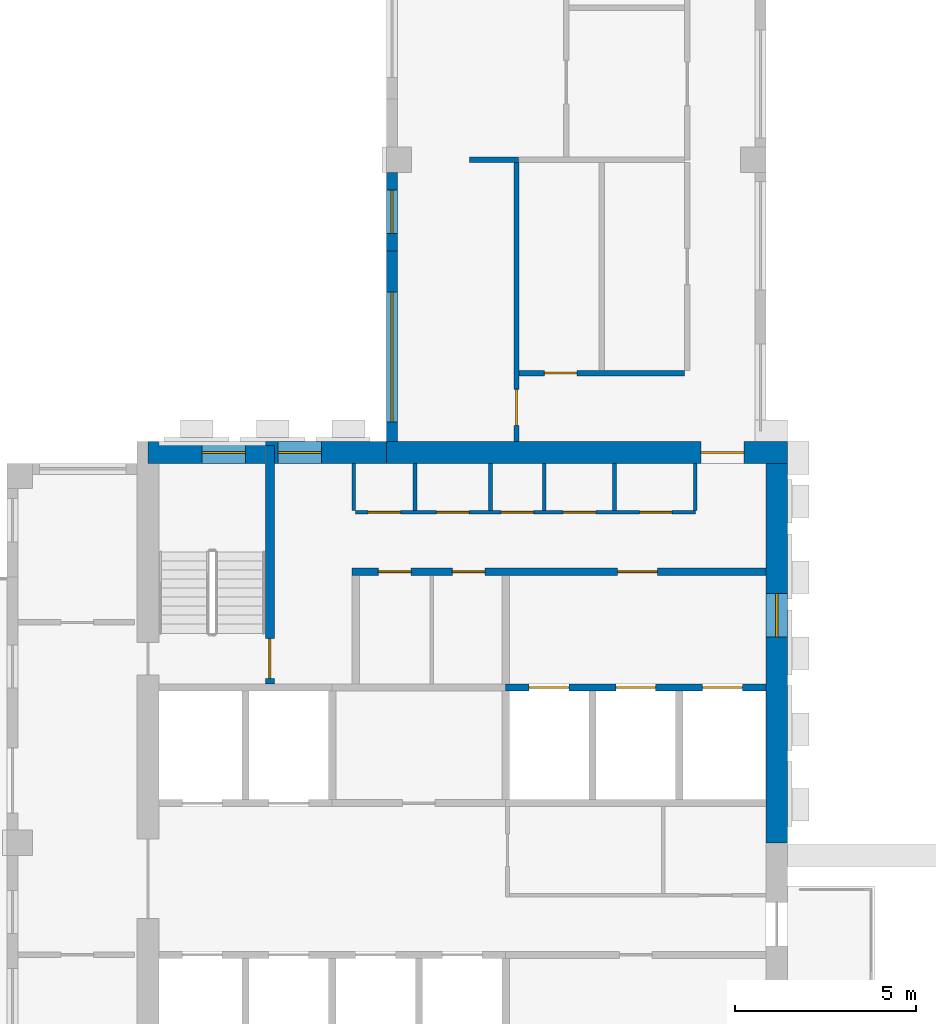
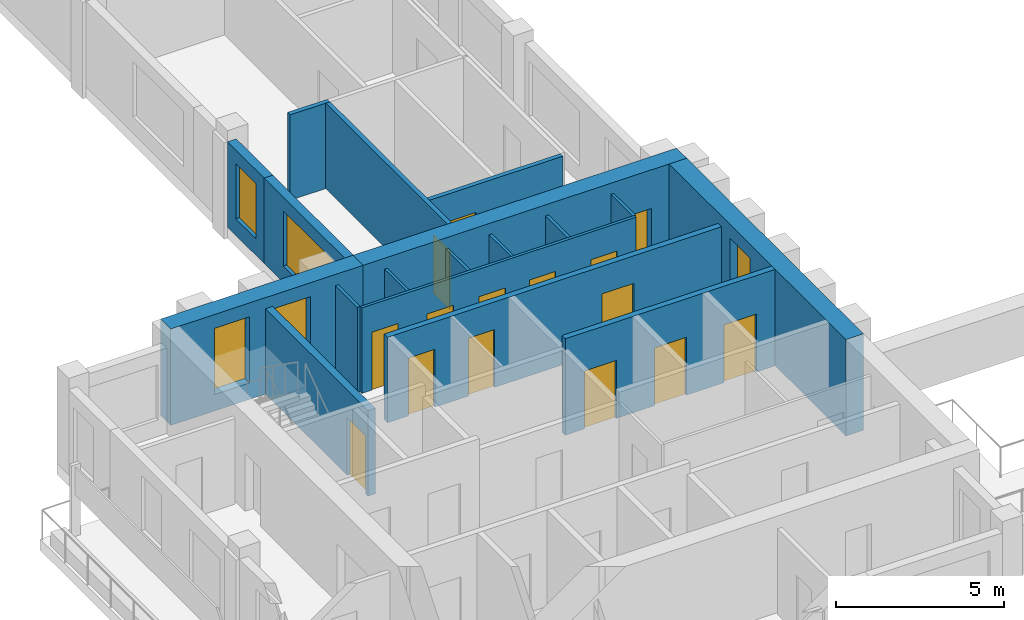
# One storey, part 3 of 9: 18 walls, 15 doors, 5 windows, 20 openings.
"""IFC4 building model written with IfcOpenShell, lengths in metres."""

from ifc_helpers import new_model, si_unit, direction, frame, frame_2d, origin, place, context, subcontext, project, spatial, rectangle, extrude, source, transform, mapped, material, layer, layer_set, type_object, element, fill, save


model = new_model("IFC4")

# Units and contexts
model_context = context("Model", 3, precision=1e-05, world=origin(), true_north=direction((0.0, 1.0)))
body_context = subcontext(model_context, "Body", "Model", "MODEL_VIEW")
ifc_project = project(units=[si_unit("LENGTHUNIT", "METRE"), si_unit("AREAUNIT", "SQUARE_METRE"), si_unit("VOLUMEUNIT", "CUBIC_METRE"), si_unit("PLANEANGLEUNIT", "RADIAN"), si_unit("MASSUNIT", "GRAM", prefix="KILO")], contexts=[model_context])

# Site, building, storey
site_placement = place(None, origin())
site = spatial("IfcSite", under=ifc_project, at=site_placement, CompositionType="ELEMENT")
building_placement = place(site_placement, origin())
building = spatial("IfcBuilding", under=site, at=building_placement, Name="Aurelian Terraces", CompositionType="ELEMENT")
storey_placement = place(building_placement, frame((0.0, 0.0, 305.5)))
storey = spatial("IfcBuildingStorey", under=building, at=storey_placement, Name="L70", CompositionType="ELEMENT", Elevation=305.5)

# Wall, opening, door
ifc_material_1 = material(Name="Concrete fc' 55 MPa", Category="concrete")
ifc_layer_1 = layer(ifc_material_1, 0.6)
ifc_layer_set_1 = layer_set([ifc_layer_1], Name="CORE WALL 600 FC55")
wall_type_1 = type_object("IfcWallType", Name="CORE WALL 600 FC55", PredefinedType="SHEAR", material=ifc_layer_set_1)
shared_shape_1 = source(origin(), body_context, "Body", "SweptSolid", [
    extrude(rectangle(XDim=11.1, YDim=0.6, at=frame_2d((5.55, 0.0))), origin(), (0.0, 0.0, 1.0), 3.5),
])
wall_1_placement = place(storey_placement, frame((10.5, 21.3, 0.0), z_axis=(0.0, 0.0, 1.0), x_axis=(1.0, 0.0, 0.0)))
wall_1 = element("IfcWall", 1, at=wall_1_placement, inside=storey, type_object=wall_type_1, Name="Core wall N L70", PredefinedType="SHEAR", context=body_context, shape_type="MappedRepresentation", body=[
    mapped(shared_shape_1, transform((0.0, 0.0, 0.0), scale=1.0)),
])
shared_shape_2 = source(origin(), body_context, "Body", "SweptSolid", [
    extrude(rectangle(XDim=1.2, YDim=2.1, at=frame_2d((0.6, 1.05))), frame((0.0, 0.31, 0.0), z_axis=(0.0, -1.0, 0.0), x_axis=(1.0, 0.0, 0.0)), (0.0, 0.0, 1.0), 0.62),
])
opening_1_placement = place(wall_1_placement, frame((8.7, 0.0, 0.0)))
opening_1 = element("IfcOpeningElement", 2, at=opening_1_placement, cuts=wall_1, Name="Opening 67329", PredefinedType="OPENING", context=body_context, shape_type="MappedRepresentation", body=[
    mapped(shared_shape_2, transform((0.0, 0.0, 0.0), scale=1.0)),
])
ifc_material_2 = material(Name="Steel door leaf", Category="steel")
door_type_1 = type_object("IfcDoorType", Name="Core fire door 1200x2100", OperationType="SINGLE_SWING_LEFT", PredefinedType="DOOR", material=ifc_material_2)
shared_shape_3 = source(origin(), body_context, "Body", "SweptSolid", [
    extrude(rectangle(XDim=1.2, YDim=2.1, at=frame_2d((0.6, 1.05))), frame((0.0, 0.025, 0.0), z_axis=(0.0, -1.0, 0.0), x_axis=(1.0, 0.0, 0.0)), (0.0, 0.0, 1.0), 0.05),
])
door_1_placement = place(opening_1_placement, origin())
door_1 = element("IfcDoor", 3, at=door_1_placement, inside=storey, type_object=door_type_1, Name="Core door 67329", OperationType="SINGLE_SWING_LEFT", OverallHeight=2.1, OverallWidth=1.2, PredefinedType="DOOR", context=body_context, shape_type="MappedRepresentation", body=[
    mapped(shared_shape_3, transform((0.0, 0.0, 0.0), scale=1.0)),
])
fill(opening_1, door_1)

# Wall, opening, window
shared_shape_4 = source(origin(), body_context, "Body", "SweptSolid", [
    extrude(rectangle(XDim=10.5, YDim=0.6, at=frame_2d((5.25, 0.0))), origin(), (0.0, 0.0, 1.0), 3.5),
])
wall_2_placement = place(storey_placement, frame((21.3, 10.5, 0.0), z_axis=(0.0, 0.0, 1.0), x_axis=(0.0, 1.0, 0.0)))
wall_2 = element("IfcWall", 4, at=wall_2_placement, inside=storey, type_object=wall_type_1, Name="Core wall E L70 exposed", PredefinedType="SHEAR", context=body_context, shape_type="MappedRepresentation", body=[
    mapped(shared_shape_4, transform((0.0, 0.0, 0.0), scale=1.0)),
])
shared_shape_5 = source(origin(), body_context, "Body", "SweptSolid", [
    extrude(rectangle(XDim=1.2, YDim=2.4, at=frame_2d((0.6, 1.2))), frame((0.0, 0.31, 0.0), z_axis=(0.0, -1.0, 0.0), x_axis=(1.0, 0.0, 0.0)), (0.0, 0.0, 1.0), 0.62),
])
opening_2_placement = place(wall_2_placement, frame((5.7, 0.0, 0.6)))
opening_2 = element("IfcOpeningElement", 5, at=opening_2_placement, cuts=wall_2, Name="Opening W-CL", PredefinedType="OPENING", context=body_context, shape_type="MappedRepresentation", body=[
    mapped(shared_shape_5, transform((0.0, 0.0, 0.0), scale=1.0)),
])
ifc_material_3 = material(Name="Fire-resisting glazing", Category="glass")
window_type_1 = type_object("IfcWindowType", Name="Core lobby window 1200x2400", PartitioningType="SINGLE_PANEL", PredefinedType="WINDOW", material=ifc_material_3)
shared_shape_6 = source(origin(), body_context, "Body", "SweptSolid", [
    extrude(rectangle(XDim=1.2, YDim=2.4, at=frame_2d((0.6, 1.2))), frame((0.0, 0.03, 0.0), z_axis=(0.0, -1.0, 0.0), x_axis=(1.0, 0.0, 0.0)), (0.0, 0.0, 1.0), 0.06),
])
window_1_placement = place(opening_2_placement, origin())
window_1 = element("IfcWindow", 6, at=window_1_placement, inside=storey, type_object=window_type_1, Name="Lobby window L70 E19", OverallHeight=2.4, OverallWidth=1.2, PartitioningType="SINGLE_PANEL", PredefinedType="WINDOW", context=body_context, shape_type="MappedRepresentation", body=[
    mapped(shared_shape_6, transform((0.0, 0.0, 0.0), scale=1.0)),
])
fill(opening_2, window_1)

# Wall, openings, windows
shared_shape_7 = source(origin(), body_context, "Body", "SweptSolid", [
    extrude(rectangle(XDim=6.6, YDim=0.6, at=frame_2d((3.3, 0.0))), origin(), (0.0, 0.0, 1.0), 3.5),
])
wall_3_placement = place(storey_placement, frame((3.9, 21.3, 0.0), z_axis=(0.0, 0.0, 1.0), x_axis=(1.0, 0.0, 0.0)))
wall_3 = element("IfcWall", 7, at=wall_3_placement, inside=storey, type_object=wall_type_1, Name="Core wall N L70 exposed", PredefinedType="SHEAR", context=body_context, shape_type="MappedRepresentation", body=[
    mapped(shared_shape_7, transform((0.0, 0.0, 0.0), scale=1.0)),
])
opening_3_placement = place(wall_3_placement, frame((1.5, 0.0, 0.6)))
opening_3 = element("IfcOpeningElement", 8, at=opening_3_placement, cuts=wall_3, Name="Opening W-CL", PredefinedType="OPENING", context=body_context, shape_type="MappedRepresentation", body=[
    mapped(shared_shape_5, transform((0.0, 0.0, 0.0), scale=1.0)),
])
opening_4_placement = place(wall_3_placement, frame((3.6, 0.0, 0.6)))
opening_4 = element("IfcOpeningElement", 9, at=opening_4_placement, cuts=wall_3, Name="Opening W-CL", PredefinedType="OPENING", context=body_context, shape_type="MappedRepresentation", body=[
    mapped(shared_shape_5, transform((0.0, 0.0, 0.0), scale=1.0)),
])
window_2_placement = place(opening_3_placement, origin())
window_2 = element("IfcWindow", 10, at=window_2_placement, inside=storey, type_object=window_type_1, Name="Lobby window L70 N20", OverallHeight=2.4, OverallWidth=1.2, PartitioningType="SINGLE_PANEL", PredefinedType="WINDOW", context=body_context, shape_type="MappedRepresentation", body=[
    mapped(shared_shape_6, transform((0.0, 0.0, 0.0), scale=1.0)),
])
fill(opening_3, window_2)
window_3_placement = place(opening_4_placement, origin())
window_3 = element("IfcWindow", 11, at=window_3_placement, inside=storey, type_object=window_type_1, Name="Lobby window L70 N21", OverallHeight=2.4, OverallWidth=1.2, PartitioningType="SINGLE_PANEL", PredefinedType="WINDOW", context=body_context, shape_type="MappedRepresentation", body=[
    mapped(shared_shape_6, transform((0.0, 0.0, 0.0), scale=1.0)),
])
fill(opening_4, window_3)

# Wall, opening, window
ifc_material_4 = material(Name="Terracotta rainscreen cladding", Category="masonry")
ifc_layer_2 = layer(ifc_material_4, 0.3)
ifc_layer_set_2 = layer_set([ifc_layer_2], Name="EW-300")
wall_type_2 = type_object("IfcWallType", Name="EW-300", PredefinedType="STANDARD", material=ifc_layer_set_2)
shared_shape_8 = source(origin(), body_context, "Body", "SweptSolid", [
    extrude(rectangle(XDim=2.17, YDim=0.3, at=frame_2d((1.085, 0.0))), origin(), (0.0, 0.0, 1.0), 3.1),
])
wall_4_placement = place(storey_placement, frame((10.65, 29.05, 0.0), z_axis=(0.0, 0.0, 1.0), x_axis=(0.0, -1.0, 0.0)))
wall_4 = element("IfcWall", 12, at=wall_4_placement, inside=storey, type_object=wall_type_2, Name="External wall L70 F04.12", PredefinedType="STANDARD", context=body_context, shape_type="MappedRepresentation", body=[
    mapped(shared_shape_8, transform((0.0, 0.0, 0.0), scale=1.0)),
])
shared_shape_9 = source(origin(), body_context, "Body", "SweptSolid", [
    extrude(rectangle(XDim=1.2, YDim=2.0, at=frame_2d((0.6, 1.0))), frame((0.0, 0.16, 0.0), z_axis=(0.0, -1.0, 0.0), x_axis=(1.0, 0.0, 0.0)), (0.0, 0.0, 1.0), 0.32),
])
opening_5_placement = place(wall_4_placement, frame((0.485, 0.0, 0.6)))
opening_5 = element("IfcOpeningElement", 13, at=opening_5_placement, cuts=wall_4, Name="Opening W1220", PredefinedType="OPENING", context=body_context, shape_type="MappedRepresentation", body=[
    mapped(shared_shape_9, transform((0.0, 0.0, 0.0), scale=1.0)),
])
ifc_material_5 = material(Name="Clear glazing", Category="glass")
window_type_2 = type_object("IfcWindowType", Name="W-1200x2000", PartitioningType="SINGLE_PANEL", PredefinedType="WINDOW", material=ifc_material_5)
shared_shape_10 = source(origin(), body_context, "Body", "SweptSolid", [
    extrude(rectangle(XDim=1.2, YDim=2.0, at=frame_2d((0.6, 1.0))), frame((0.0, 0.03, 0.0), z_axis=(0.0, -1.0, 0.0), x_axis=(1.0, 0.0, 0.0)), (0.0, 0.0, 1.0), 0.06),
])
window_4_placement = place(opening_5_placement, origin())
window_4 = element("IfcWindow", 14, at=window_4_placement, inside=storey, type_object=window_type_2, Name="Window L70 L70-F04-12-P1", OverallHeight=2.0, OverallWidth=1.2, PartitioningType="SINGLE_PANEL", PredefinedType="WINDOW", context=body_context, shape_type="MappedRepresentation", body=[
    mapped(shared_shape_10, transform((0.0, 0.0, 0.0), scale=1.0)),
])
fill(opening_5, window_4)

shared_shape_11 = source(origin(), body_context, "Body", "SweptSolid", [
    extrude(rectangle(XDim=5.28, YDim=0.3, at=frame_2d((2.64, 0.0))), origin(), (0.0, 0.0, 1.0), 3.1),
])
wall_5_placement = place(storey_placement, frame((10.65, 26.88, 0.0), z_axis=(0.0, 0.0, 1.0), x_axis=(0.0, -1.0, 0.0)))
wall_5 = element("IfcWall", 15, at=wall_5_placement, inside=storey, type_object=wall_type_2, Name="External wall L70 F04.13", PredefinedType="STANDARD", context=body_context, shape_type="MappedRepresentation", body=[
    mapped(shared_shape_11, transform((0.0, 0.0, 0.0), scale=1.0)),
])
shared_shape_12 = source(origin(), body_context, "Body", "SweptSolid", [
    extrude(rectangle(XDim=3.6, YDim=2.0, at=frame_2d((1.8, 1.0))), frame((0.0, 0.16, 0.0), z_axis=(0.0, -1.0, 0.0), x_axis=(1.0, 0.0, 0.0)), (0.0, 0.0, 1.0), 0.32),
])
opening_6_placement = place(wall_5_placement, frame((1.14, 0.0, 0.6)))
opening_6 = element("IfcOpeningElement", 16, at=opening_6_placement, cuts=wall_5, Name="Opening W3620", PredefinedType="OPENING", context=body_context, shape_type="MappedRepresentation", body=[
    mapped(shared_shape_12, transform((0.0, 0.0, 0.0), scale=1.0)),
])
window_type_3 = type_object("IfcWindowType", Name="W-3600x2000", PartitioningType="SINGLE_PANEL", PredefinedType="WINDOW", material=ifc_material_5)
shared_shape_13 = source(origin(), body_context, "Body", "SweptSolid", [
    extrude(rectangle(XDim=3.6, YDim=2.0, at=frame_2d((1.8, 1.0))), frame((0.0, 0.03, 0.0), z_axis=(0.0, -1.0, 0.0), x_axis=(1.0, 0.0, 0.0)), (0.0, 0.0, 1.0), 0.06),
])
window_5_placement = place(opening_6_placement, origin())
window_5 = element("IfcWindow", 17, at=window_5_placement, inside=storey, type_object=window_type_3, Name="Window L70 L70-F04-13-0", OverallHeight=2.0, OverallWidth=3.6, PartitioningType="SINGLE_PANEL", PredefinedType="WINDOW", context=body_context, shape_type="MappedRepresentation", body=[
    mapped(shared_shape_13, transform((0.0, 0.0, 0.0), scale=1.0)),
])
fill(opening_6, window_5)

# Wall, openings, doors
ifc_material_6 = material(Name="Concrete fc' 40 MPa", Category="concrete")
ifc_layer_3 = layer(ifc_material_6, 0.2)
ifc_layer_set_3 = layer_set([ifc_layer_3], Name="Lift shaft wall 200")
wall_type_3 = type_object("IfcWallType", Name="Lift shaft wall 200", PredefinedType="SOLIDWALL", material=ifc_layer_set_3)
shared_shape_14 = source(origin(), body_context, "Body", "SweptSolid", [
    extrude(rectangle(XDim=7.2, YDim=0.2, at=frame_2d((3.6, 0.0))), origin(), (0.0, 0.0, 1.0), 3.5),
])
wall_6_placement = place(storey_placement, frame((13.8, 14.8, 0.0), z_axis=(0.0, 0.0, 1.0), x_axis=(1.0, 0.0, 0.0)))
wall_6 = element("IfcWall", 18, at=wall_6_placement, inside=storey, type_object=wall_type_3, Name="L70 core wall CF-BB3", PredefinedType="SOLIDWALL", context=body_context, shape_type="MappedRepresentation", body=[
    mapped(shared_shape_14, transform((0.0, 0.0, 0.0), scale=1.0)),
])
shared_shape_15 = source(origin(), body_context, "Body", "SweptSolid", [
    extrude(rectangle(XDim=1.1, YDim=2.1, at=frame_2d((0.55, 1.05))), frame((0.0, 0.11, 0.0), z_axis=(0.0, -1.0, 0.0), x_axis=(1.0, 0.0, 0.0)), (0.0, 0.0, 1.0), 0.22),
])
opening_7_placement = place(wall_6_placement, frame((0.65, 0.0, 0.0)))
opening_7 = element("IfcOpeningElement", 19, at=opening_7_placement, cuts=wall_6, Name="Opening 67308", PredefinedType="OPENING", context=body_context, shape_type="MappedRepresentation", body=[
    mapped(shared_shape_15, transform((0.0, 0.0, 0.0), scale=1.0)),
])
opening_8_placement = place(wall_6_placement, frame((3.05, 0.0, 0.0)))
opening_8 = element("IfcOpeningElement", 20, at=opening_8_placement, cuts=wall_6, Name="Opening 67309", PredefinedType="OPENING", context=body_context, shape_type="MappedRepresentation", body=[
    mapped(shared_shape_15, transform((0.0, 0.0, 0.0), scale=1.0)),
])
opening_9_placement = place(wall_6_placement, frame((5.45, 0.0, 0.0)))
opening_9 = element("IfcOpeningElement", 21, at=opening_9_placement, cuts=wall_6, Name="Opening 67310", PredefinedType="OPENING", context=body_context, shape_type="MappedRepresentation", body=[
    mapped(shared_shape_15, transform((0.0, 0.0, 0.0), scale=1.0)),
])
ifc_material_7 = material(Name="Stainless steel", Category="steel")
door_type_2 = type_object("IfcDoorType", Name="Lift landing door 1100x2100", OperationType="SLIDING_TO_LEFT", PredefinedType="DOOR", material=ifc_material_7)
shared_shape_16 = source(origin(), body_context, "Body", "SweptSolid", [
    extrude(rectangle(XDim=1.1, YDim=2.1, at=frame_2d((0.55, 1.05))), frame((0.0, 0.025, 0.0), z_axis=(0.0, -1.0, 0.0), x_axis=(1.0, 0.0, 0.0)), (0.0, 0.0, 1.0), 0.05),
])
door_2_placement = place(opening_7_placement, origin())
door_2 = element("IfcDoor", 22, at=door_2_placement, inside=storey, type_object=door_type_2, Name="Lift landing door F1 L70", OperationType="SLIDING_TO_LEFT", OverallHeight=2.1, OverallWidth=1.1, PredefinedType="DOOR", context=body_context, shape_type="MappedRepresentation", body=[
    mapped(shared_shape_16, transform((0.0, 0.0, 0.0), scale=1.0)),
])
fill(opening_7, door_2)
door_3_placement = place(opening_8_placement, origin())
door_3 = element("IfcDoor", 23, at=door_3_placement, inside=storey, type_object=door_type_2, Name="Lift landing door F2 L70", OperationType="SLIDING_TO_LEFT", OverallHeight=2.1, OverallWidth=1.1, PredefinedType="DOOR", context=body_context, shape_type="MappedRepresentation", body=[
    mapped(shared_shape_16, transform((0.0, 0.0, 0.0), scale=1.0)),
])
fill(opening_8, door_3)
door_4_placement = place(opening_9_placement, origin())
door_4 = element("IfcDoor", 24, at=door_4_placement, inside=storey, type_object=door_type_2, Name="Lift landing door F3 L70", OperationType="SLIDING_TO_LEFT", OverallHeight=2.1, OverallWidth=1.1, PredefinedType="DOOR", context=body_context, shape_type="MappedRepresentation", body=[
    mapped(shared_shape_16, transform((0.0, 0.0, 0.0), scale=1.0)),
])
fill(opening_9, door_4)

# Wall, opening, door
ifc_layer_4 = layer(ifc_material_6, 0.25)
ifc_layer_set_4 = layer_set([ifc_layer_4], Name="Stair enclosure wall 250")
wall_type_4 = type_object("IfcWallType", Name="Stair enclosure wall 250", PredefinedType="SOLIDWALL", material=ifc_layer_set_4)
shared_shape_17 = source(origin(), body_context, "Body", "SweptSolid", [
    extrude(rectangle(XDim=6.6, YDim=0.25, at=frame_2d((3.3, 0.0))), origin(), (0.0, 0.0, 1.0), 3.1),
])
wall_7_placement = place(storey_placement, frame((7.275, 14.9, 0.0), z_axis=(0.0, 0.0, 1.0), x_axis=(0.0, 1.0, 0.0)))
wall_7 = element("IfcWall", 25, at=wall_7_placement, inside=storey, type_object=wall_type_4, Name="L70 core wall ST-S1-E", PredefinedType="SOLIDWALL", context=body_context, shape_type="MappedRepresentation", body=[
    mapped(shared_shape_17, transform((0.0, 0.0, 0.0), scale=1.0)),
])
shared_shape_18 = source(origin(), body_context, "Body", "SweptSolid", [
    extrude(rectangle(XDim=1.1, YDim=2.1, at=frame_2d((0.55, 1.05))), frame((0.0, 0.135, 0.0), z_axis=(0.0, -1.0, 0.0), x_axis=(1.0, 0.0, 0.0)), (0.0, 0.0, 1.0), 0.27),
])
opening_10_placement = place(wall_7_placement, frame((0.15, 0.0, 0.0)))
opening_10 = element("IfcOpeningElement", 26, at=opening_10_placement, cuts=wall_7, Name="Opening 67311", PredefinedType="OPENING", context=body_context, shape_type="MappedRepresentation", body=[
    mapped(shared_shape_18, transform((0.0, 0.0, 0.0), scale=1.0)),
])
door_type_3 = type_object("IfcDoorType", Name="Core fire door 1100x2100", OperationType="SINGLE_SWING_LEFT", PredefinedType="DOOR", material=ifc_material_2)
door_5_placement = place(opening_10_placement, origin())
door_5 = element("IfcDoor", 27, at=door_5_placement, inside=storey, type_object=door_type_3, Name="Stair door 67311", OperationType="SINGLE_SWING_LEFT", OverallHeight=2.1, OverallWidth=1.1, PredefinedType="DOOR", context=body_context, shape_type="MappedRepresentation", body=[
    mapped(shared_shape_16, transform((0.0, 0.0, 0.0), scale=1.0)),
])
fill(opening_10, door_5)

# Wall, openings, doors
ifc_material_8 = material(Name="Gypsum board on steel studs", Category="steel")
ifc_layer_5 = layer(ifc_material_8, 0.2)
ifc_layer_set_5 = layer_set([ifc_layer_5], Name="Core partition 200")
wall_type_5 = type_object("IfcWallType", Name="Core partition 200", PredefinedType="PARTITIONING", material=ifc_layer_set_5)
shared_shape_19 = source(origin(), body_context, "Body", "SweptSolid", [
    extrude(rectangle(XDim=11.45, YDim=0.2, at=frame_2d((5.725, 0.0))), origin(), (0.0, 0.0, 1.0), 3.1),
])
wall_8_placement = place(storey_placement, frame((9.55, 18.0, 0.0), z_axis=(0.0, 0.0, 1.0), x_axis=(1.0, 0.0, 0.0)))
wall_8 = element("IfcWall", 28, at=wall_8_placement, inside=storey, type_object=wall_type_5, Name="L70 core wall CP-NORTH", PredefinedType="PARTITIONING", context=body_context, shape_type="MappedRepresentation", body=[
    mapped(shared_shape_19, transform((0.0, 0.0, 0.0), scale=1.0)),
])
shared_shape_20 = source(origin(), body_context, "Body", "SweptSolid", [
    extrude(rectangle(XDim=0.9, YDim=2.1, at=frame_2d((0.45, 1.05))), frame((0.0, 0.11, 0.0), z_axis=(0.0, -1.0, 0.0), x_axis=(1.0, 0.0, 0.0)), (0.0, 0.0, 1.0), 0.22),
])
opening_11_placement = place(wall_8_placement, frame((0.725, 0.0, 0.0)))
opening_11 = element("IfcOpeningElement", 29, at=opening_11_placement, cuts=wall_8, Name="Opening 67312", PredefinedType="OPENING", context=body_context, shape_type="MappedRepresentation", body=[
    mapped(shared_shape_20, transform((0.0, 0.0, 0.0), scale=1.0)),
])
opening_12_placement = place(wall_8_placement, frame((2.775, 0.0, 0.0)))
opening_12 = element("IfcOpeningElement", 30, at=opening_12_placement, cuts=wall_8, Name="Opening 67313", PredefinedType="OPENING", context=body_context, shape_type="MappedRepresentation", body=[
    mapped(shared_shape_20, transform((0.0, 0.0, 0.0), scale=1.0)),
])
opening_13_placement = place(wall_8_placement, frame((7.35, 0.0, 0.0)))
opening_13 = element("IfcOpeningElement", 31, at=opening_13_placement, cuts=wall_8, Name="Opening 67314", PredefinedType="OPENING", context=body_context, shape_type="MappedRepresentation", body=[
    mapped(shared_shape_15, transform((0.0, 0.0, 0.0), scale=1.0)),
])
door_type_4 = type_object("IfcDoorType", Name="Core service door 900x2100 right", OperationType="SINGLE_SWING_RIGHT", PredefinedType="DOOR", material=ifc_material_2)
shared_shape_21 = source(origin(), body_context, "Body", "SweptSolid", [
    extrude(rectangle(XDim=0.9, YDim=2.1, at=frame_2d((0.45, 1.05))), frame((0.0, 0.025, 0.0), z_axis=(0.0, -1.0, 0.0), x_axis=(1.0, 0.0, 0.0)), (0.0, 0.0, 1.0), 0.05),
])
door_6_placement = place(opening_11_placement, origin())
door_6 = element("IfcDoor", 32, at=door_6_placement, inside=storey, type_object=door_type_4, Name="Room door 67312", OperationType="SINGLE_SWING_RIGHT", OverallHeight=2.1, OverallWidth=0.9, PredefinedType="DOOR", context=body_context, shape_type="MappedRepresentation", body=[
    mapped(shared_shape_21, transform((0.0, 0.0, 0.0), scale=1.0)),
])
fill(opening_11, door_6)
door_type_5 = type_object("IfcDoorType", Name="Core service door 900x2100", OperationType="SINGLE_SWING_LEFT", PredefinedType="DOOR", material=ifc_material_2)
door_7_placement = place(opening_12_placement, origin())
door_7 = element("IfcDoor", 33, at=door_7_placement, inside=storey, type_object=door_type_5, Name="Room door 67313", OperationType="SINGLE_SWING_LEFT", OverallHeight=2.1, OverallWidth=0.9, PredefinedType="DOOR", context=body_context, shape_type="MappedRepresentation", body=[
    mapped(shared_shape_21, transform((0.0, 0.0, 0.0), scale=1.0)),
])
fill(opening_12, door_7)
door_type_6 = type_object("IfcDoorType", Name="Core fire door 1100x2100 right", OperationType="SINGLE_SWING_RIGHT", PredefinedType="DOOR", material=ifc_material_2)
door_8_placement = place(opening_13_placement, origin())
door_8 = element("IfcDoor", 34, at=door_8_placement, inside=storey, type_object=door_type_6, Name="Ff lobby door 67314", OperationType="SINGLE_SWING_RIGHT", OverallHeight=2.1, OverallWidth=1.1, PredefinedType="DOOR", context=body_context, shape_type="MappedRepresentation", body=[
    mapped(shared_shape_16, transform((0.0, 0.0, 0.0), scale=1.0)),
])
fill(opening_13, door_8)

# Walls
ifc_layer_6 = layer(ifc_material_8, 0.1)
ifc_layer_set_6 = layer_set([ifc_layer_6], Name="Core partition 100")
wall_type_6 = type_object("IfcWallType", Name="Core partition 100", PredefinedType="PARTITIONING", material=ifc_layer_set_6)
shared_shape_22 = source(origin(), body_context, "Body", "SweptSolid", [
    extrude(rectangle(XDim=1.3, YDim=0.1, at=frame_2d((0.65, 0.0))), origin(), (0.0, 0.0, 1.0), 3.1),
])
for number, where, z_axis, x_axis, name in (
    (35, (11.2913, 19.7, 0.0), (0.0, 0.0, 1.0), (0.0, 1.0, 0.0), "L70 core wall SV-NP1"),
    (36, (13.3802, 19.7, 0.0), (0.0, 0.0, 1.0), (0.0, 1.0, 0.0), "L70 core wall SV-NP2"),
    (37, (14.8722, 19.7, 0.0), (0.0, 0.0, 1.0), (0.0, 1.0, 0.0), "L70 core wall SV-NP3"),
    (38, (16.8119, 19.7, 0.0), (0.0, 0.0, 1.0), (0.0, 1.0, 0.0), "L70 core wall SV-NP4"),
    (39, (9.6, 19.7, 0.0), (0.0, 0.0, 1.0), (0.0, 1.0, 0.0), "L70 core wall SV-NW0"),
    (40, (19.05, 19.7, 0.0), (0.0, 0.0, 1.0), (0.0, 1.0, 0.0), "L70 core wall SV-NW1"),
):
    element("IfcWall", number, at=place(storey_placement, frame(where, z_axis=z_axis, x_axis=x_axis)), inside=storey, type_object=wall_type_6, Name=name, PredefinedType="PARTITIONING", context=body_context, shape_type="MappedRepresentation", body=[
        mapped(shared_shape_22, transform((0.0, 0.0, 0.0), scale=1.0)),
    ])

# Wall, openings, doors
shared_shape_23 = source(origin(), body_context, "Body", "SweptSolid", [
    extrude(rectangle(XDim=9.4, YDim=0.1, at=frame_2d((4.7, 0.0))), origin(), (0.0, 0.0, 1.0), 3.1),
])
wall_9_placement = place(storey_placement, frame((9.65, 19.65, 0.0), z_axis=(0.0, 0.0, 1.0), x_axis=(1.0, 0.0, 0.0)))
wall_9 = element("IfcWall", 41, at=wall_9_placement, inside=storey, type_object=wall_type_6, Name="L70 core wall SV-N1", PredefinedType="PARTITIONING", context=body_context, shape_type="MappedRepresentation", body=[
    mapped(shared_shape_23, transform((0.0, 0.0, 0.0), scale=1.0)),
])
shared_shape_24 = source(origin(), body_context, "Body", "SweptSolid", [
    extrude(rectangle(XDim=0.9, YDim=2.1, at=frame_2d((0.45, 1.05))), frame((0.0, 0.06, 0.0), z_axis=(0.0, -1.0, 0.0), x_axis=(1.0, 0.0, 0.0)), (0.0, 0.0, 1.0), 0.12),
])
opening_14_placement = place(wall_9_placement, frame((0.3457, 0.0, 0.0)))
opening_14 = element("IfcOpeningElement", 42, at=opening_14_placement, cuts=wall_9, Name="Opening 67315", PredefinedType="OPENING", context=body_context, shape_type="MappedRepresentation", body=[
    mapped(shared_shape_24, transform((0.0, 0.0, 0.0), scale=1.0)),
])
opening_15_placement = place(wall_9_placement, frame((2.2358, 0.0, 0.0)))
opening_15 = element("IfcOpeningElement", 43, at=opening_15_placement, cuts=wall_9, Name="Opening 67316", PredefinedType="OPENING", context=body_context, shape_type="MappedRepresentation", body=[
    mapped(shared_shape_24, transform((0.0, 0.0, 0.0), scale=1.0)),
])
opening_16_placement = place(wall_9_placement, frame((4.0262, 0.0, 0.0)))
opening_16 = element("IfcOpeningElement", 44, at=opening_16_placement, cuts=wall_9, Name="Opening 67317", PredefinedType="OPENING", context=body_context, shape_type="MappedRepresentation", body=[
    mapped(shared_shape_24, transform((0.0, 0.0, 0.0), scale=1.0)),
])
opening_17_placement = place(wall_9_placement, frame((5.7421, 0.0, 0.0)))
opening_17 = element("IfcOpeningElement", 45, at=opening_17_placement, cuts=wall_9, Name="Opening 67318", PredefinedType="OPENING", context=body_context, shape_type="MappedRepresentation", body=[
    mapped(shared_shape_24, transform((0.0, 0.0, 0.0), scale=1.0)),
])
opening_18_placement = place(wall_9_placement, frame((7.856, 0.0, 0.0)))
opening_18 = element("IfcOpeningElement", 46, at=opening_18_placement, cuts=wall_9, Name="Opening 67319", PredefinedType="OPENING", context=body_context, shape_type="MappedRepresentation", body=[
    mapped(shared_shape_24, transform((0.0, 0.0, 0.0), scale=1.0)),
])
door_9_placement = place(opening_14_placement, origin())
door_9 = element("IfcDoor", 47, at=door_9_placement, inside=storey, type_object=door_type_5, Name="Room door 67315", OperationType="SINGLE_SWING_LEFT", OverallHeight=2.1, OverallWidth=0.9, PredefinedType="DOOR", context=body_context, shape_type="MappedRepresentation", body=[
    mapped(shared_shape_21, transform((0.0, 0.0, 0.0), scale=1.0)),
])
fill(opening_14, door_9)
door_10_placement = place(opening_15_placement, origin())
door_10 = element("IfcDoor", 48, at=door_10_placement, inside=storey, type_object=door_type_4, Name="Room door 67316", OperationType="SINGLE_SWING_RIGHT", OverallHeight=2.1, OverallWidth=0.9, PredefinedType="DOOR", context=body_context, shape_type="MappedRepresentation", body=[
    mapped(shared_shape_21, transform((0.0, 0.0, 0.0), scale=1.0)),
])
fill(opening_15, door_10)
door_11_placement = place(opening_16_placement, origin())
door_11 = element("IfcDoor", 49, at=door_11_placement, inside=storey, type_object=door_type_5, Name="Room door 67317", OperationType="SINGLE_SWING_LEFT", OverallHeight=2.1, OverallWidth=0.9, PredefinedType="DOOR", context=body_context, shape_type="MappedRepresentation", body=[
    mapped(shared_shape_21, transform((0.0, 0.0, 0.0), scale=1.0)),
])
fill(opening_16, door_11)
door_12_placement = place(opening_17_placement, origin())
door_12 = element("IfcDoor", 50, at=door_12_placement, inside=storey, type_object=door_type_4, Name="Room door 67318", OperationType="SINGLE_SWING_RIGHT", OverallHeight=2.1, OverallWidth=0.9, PredefinedType="DOOR", context=body_context, shape_type="MappedRepresentation", body=[
    mapped(shared_shape_21, transform((0.0, 0.0, 0.0), scale=1.0)),
])
fill(opening_17, door_12)
door_13_placement = place(opening_18_placement, origin())
door_13 = element("IfcDoor", 51, at=door_13_placement, inside=storey, type_object=door_type_5, Name="Room door 67319", OperationType="SINGLE_SWING_LEFT", OverallHeight=2.1, OverallWidth=0.9, PredefinedType="DOOR", context=body_context, shape_type="MappedRepresentation", body=[
    mapped(shared_shape_21, transform((0.0, 0.0, 0.0), scale=1.0)),
])
fill(opening_18, door_13)

# Wall, opening, door
ifc_layer_7 = layer(ifc_material_8, 0.15)
ifc_layer_set_7 = layer_set([ifc_layer_7], Name="Partition 150")
wall_type_7 = type_object("IfcWallType", Name="Partition 150", PredefinedType="PARTITIONING", material=ifc_layer_set_7)
shared_shape_25 = source(origin(), body_context, "Body", "SweptSolid", [
    extrude(rectangle(XDim=4.575, YDim=0.15, at=frame_2d((2.2875, 0.0))), origin(), (0.0, 0.0, 1.0), 3.1),
])
wall_10_placement = place(storey_placement, frame((14.175, 23.5, 0.0), z_axis=(0.0, 0.0, 1.0), x_axis=(1.0, 0.0, 0.0)))
wall_10 = element("IfcWall", 52, at=wall_10_placement, inside=storey, type_object=wall_type_7, Name="Partition", PredefinedType="PARTITIONING", context=body_context, shape_type="MappedRepresentation", body=[
    mapped(shared_shape_25, transform((0.0, 0.0, 0.0), scale=1.0)),
])
shared_shape_26 = source(origin(), body_context, "Body", "SweptSolid", [
    extrude(rectangle(XDim=0.9, YDim=2.1, at=frame_2d((0.45, 1.05))), frame((0.0, 0.085, 0.0), z_axis=(0.0, -1.0, 0.0), x_axis=(1.0, 0.0, 0.0)), (0.0, 0.0, 1.0), 0.17),
])
opening_19_placement = place(wall_10_placement, frame((0.694, 0.0, 0.0)))
opening_19 = element("IfcOpeningElement", 53, at=opening_19_placement, cuts=wall_10, Name="Opening 770005", PredefinedType="OPENING", context=body_context, shape_type="MappedRepresentation", body=[
    mapped(shared_shape_26, transform((0.0, 0.0, 0.0), scale=1.0)),
])
ifc_material_9 = material(Name="Timber door leaf", Category="wood")
door_type_7 = type_object("IfcDoorType", Name="Room door 900x2100 right", OperationType="SINGLE_SWING_RIGHT", PredefinedType="DOOR", material=ifc_material_9)
door_14_placement = place(opening_19_placement, origin())
door_14 = element("IfcDoor", 54, at=door_14_placement, inside=storey, type_object=door_type_7, Name="Door 770005", OperationType="SINGLE_SWING_RIGHT", OverallHeight=2.1, OverallWidth=0.9, PredefinedType="DOOR", context=body_context, shape_type="MappedRepresentation", body=[
    mapped(shared_shape_21, transform((0.0, 0.0, 0.0), scale=1.0)),
])
fill(opening_19, door_14)

shared_shape_27 = source(origin(), body_context, "Body", "SweptSolid", [
    extrude(rectangle(XDim=7.725, YDim=0.15, at=frame_2d((3.8625, 0.0))), origin(), (0.0, 0.0, 1.0), 3.1),
])
wall_11_placement = place(storey_placement, frame((14.1, 29.325, 0.0), z_axis=(0.0, 0.0, 1.0), x_axis=(0.0, -1.0, 0.0)))
wall_11 = element("IfcWall", 55, at=wall_11_placement, inside=storey, type_object=wall_type_7, Name="Partition", PredefinedType="PARTITIONING", context=body_context, shape_type="MappedRepresentation", body=[
    mapped(shared_shape_27, transform((0.0, 0.0, 0.0), scale=1.0)),
])
shared_shape_28 = source(origin(), body_context, "Body", "SweptSolid", [
    extrude(rectangle(XDim=1.0, YDim=2.1, at=frame_2d((0.5, 1.05))), frame((0.0, 0.085, 0.0), z_axis=(0.0, -1.0, 0.0), x_axis=(1.0, 0.0, 0.0)), (0.0, 0.0, 1.0), 0.17),
])
opening_20_placement = place(wall_11_placement, frame((6.275, 0.0, 0.0)))
opening_20 = element("IfcOpeningElement", 56, at=opening_20_placement, cuts=wall_11, Name="Opening 770008", PredefinedType="OPENING", context=body_context, shape_type="MappedRepresentation", body=[
    mapped(shared_shape_28, transform((0.0, 0.0, 0.0), scale=1.0)),
])
door_type_8 = type_object("IfcDoorType", Name="Room door 1000x2100 right", OperationType="SINGLE_SWING_RIGHT", PredefinedType="DOOR", material=ifc_material_9)
shared_shape_29 = source(origin(), body_context, "Body", "SweptSolid", [
    extrude(rectangle(XDim=1.0, YDim=2.1, at=frame_2d((0.5, 1.05))), frame((0.0, 0.025, 0.0), z_axis=(0.0, -1.0, 0.0), x_axis=(1.0, 0.0, 0.0)), (0.0, 0.0, 1.0), 0.05),
])
door_15_placement = place(opening_20_placement, origin())
door_15 = element("IfcDoor", 57, at=door_15_placement, inside=storey, type_object=door_type_8, Name="Door 770008", OperationType="SINGLE_SWING_RIGHT", OverallHeight=2.1, OverallWidth=1.0, PredefinedType="DOOR", context=body_context, shape_type="MappedRepresentation", body=[
    mapped(shared_shape_29, transform((0.0, 0.0, 0.0), scale=1.0)),
])
fill(opening_20, door_15)

# Wall
ifc_layer_8 = layer(ifc_material_8, 0.15)
ifc_layer_set_8 = layer_set([ifc_layer_8], Name="Fire partition 150")
wall_type_8 = type_object("IfcWallType", Name="Fire partition 150", PredefinedType="PARTITIONING", material=ifc_layer_set_8)
shared_shape_30 = source(origin(), body_context, "Body", "SweptSolid", [
    extrude(rectangle(XDim=1.35, YDim=0.15, at=frame_2d((0.675, 0.0))), origin(), (0.0, 0.0, 1.0), 3.1),
])
wall_12_placement = place(storey_placement, frame((14.155, 29.4, 0.0), z_axis=(0.0, 0.0, 1.0), x_axis=(-1.0, 0.0, 0.0)))
element("IfcWall", 58, at=wall_12_placement, inside=storey, type_object=wall_type_8, Name="Party wall", PredefinedType="PARTITIONING", context=body_context, shape_type="MappedRepresentation", body=[
    mapped(shared_shape_30, transform((0.0, 0.0, 0.0), scale=1.0)),
])

save(model, "model.ifc")
